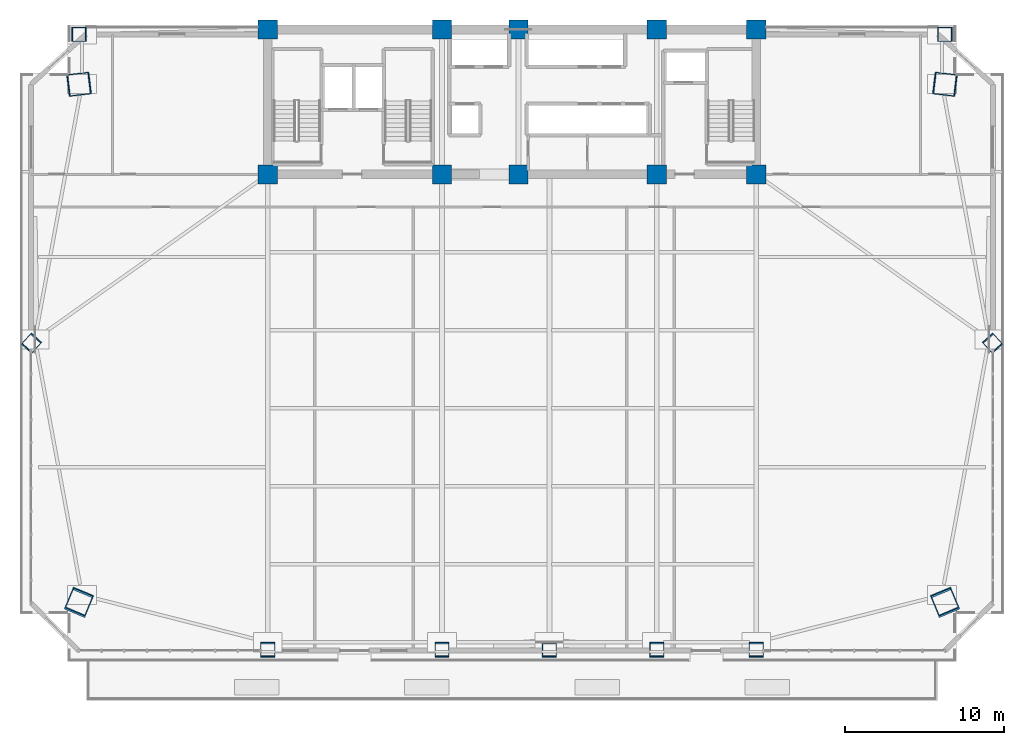
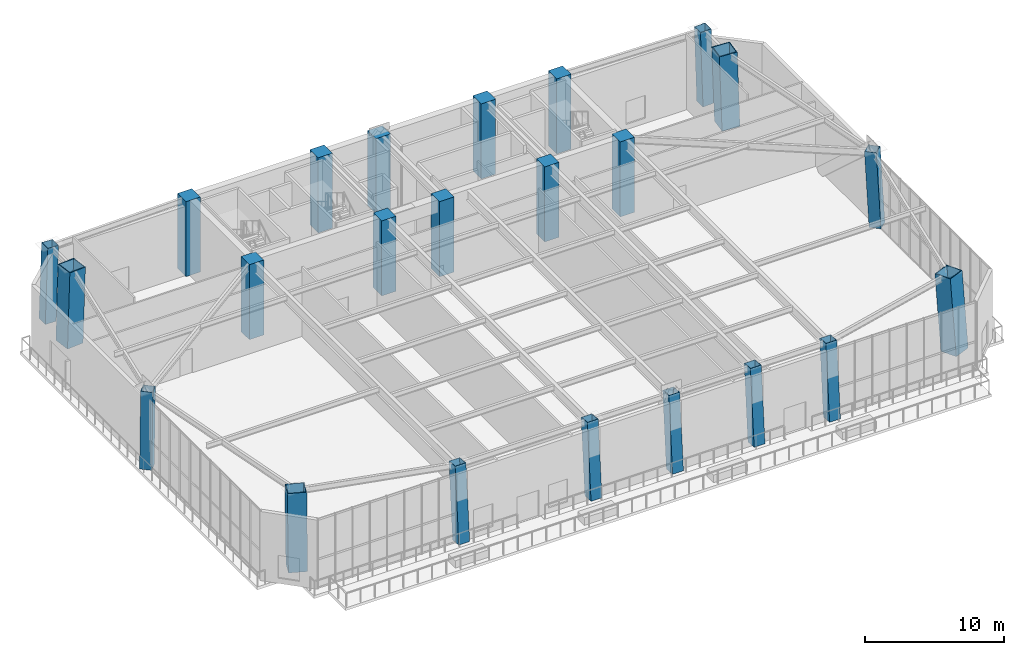
# One storey, part 1 of 22: 23 columns.
"""IFC4 building model written with IfcOpenShell, lengths in metres."""

from ifc_helpers import new_model, si_unit, direction, frame, origin, origin_2d, place, context, subcontext, project, spatial, rectangle, hollow_rectangle, extrude, source, transform, mapped, material, material_profile, profile_set, type_object, element, save


model = new_model("IFC4")

# Units and contexts
model_context = context("Model", 3, precision=1e-05, world=origin(), true_north=direction((0.0, 1.0)))
body_context = subcontext(model_context, "Body", "Model", "MODEL_VIEW")
ifc_project = project(units=[si_unit("LENGTHUNIT", "METRE"), si_unit("AREAUNIT", "SQUARE_METRE"), si_unit("VOLUMEUNIT", "CUBIC_METRE"), si_unit("PLANEANGLEUNIT", "RADIAN"), si_unit("MASSUNIT", "GRAM", prefix="KILO")], contexts=[model_context])

# Site, building, storey
site_placement = place(None, origin())
site = spatial("IfcSite", under=ifc_project, at=site_placement, CompositionType="ELEMENT")
building_placement = place(site_placement, origin())
building = spatial("IfcBuilding", under=site, at=building_placement, Name="Giltprow Tower", CompositionType="ELEMENT")
storey_placement = place(building_placement, frame((0.0, 0.0, 130.89990234375)))
storey = spatial("IfcBuildingStorey", under=building, at=storey_placement, Name="L32", CompositionType="ELEMENT", Elevation=130.89990234375)

# Columns
ifc_material_1 = material(Name="Concrete C60", Category="concrete")
ifc_material_profile_1 = material_profile(ifc_material_1, rectangle(XDim=1.199951171875, YDim=1.199951171875, at=origin_2d()), Name="RC 1200x1200")
ifc_profile_set_1 = profile_set([ifc_material_profile_1], Name="Concrete C60")
column_type_1 = type_object("IfcColumnType", Name="PIL-RC-1200-C60", PredefinedType="PILASTER", material=ifc_profile_set_1)
shared_shape_1 = source(origin(), body_context, "Body", "SweptSolid", [
    extrude(rectangle(XDim=1.199951171875, YDim=1.199951171875, at=origin_2d()), origin(), (0.0, 0.0, 1.0), 6.570068359375),
])
for number, where, z_axis, x_axis, name in (
    (1, (19.85009765625, 37.449951171875, 0.0), (0.0, 0.0, 1.0), (1.0, 0.0, 0.0), "L32 Core Boundary Pilaster 1-1"),
    (2, (19.85009765625, 46.550048828125, 0.0), (0.0, 0.0, 1.0), (1.0, 0.0, 0.0), "L32 Core Boundary Pilaster 1-2"),
    (3, (30.800048828125, 37.449951171875, 0.0), (0.0, 0.0, 1.0), (1.0, 0.0, 0.0), "L32 Core Boundary Pilaster 2-1"),
    (4, (30.800048828125, 46.550048828125, 0.0), (0.0, 0.0, 1.0), (1.0, 0.0, 0.0), "L32 Core Boundary Pilaster 2-2"),
    (5, (35.60009765625, 37.449951171875, 0.0), (0.0, 0.0, 1.0), (1.0, 0.0, 0.0), "L32 Core Boundary Pilaster 3-1"),
    (6, (35.60009765625, 46.550048828125, 0.0), (0.0, 0.0, 1.0), (1.0, 0.0, 0.0), "L32 Core Boundary Pilaster 3-2"),
    (7, (44.300048828125, 37.449951171875, 0.0), (0.0, 0.0, 1.0), (1.0, 0.0, 0.0), "L32 Core Boundary Pilaster 4-1"),
    (8, (44.300048828125, 46.550048828125, 0.0), (0.0, 0.0, 1.0), (1.0, 0.0, 0.0), "L32 Core Boundary Pilaster 4-2"),
    (9, (50.550048828125, 37.449951171875, 0.0), (0.0, 0.0, 1.0), (1.0, 0.0, 0.0), "L32 Core Boundary Pilaster 5-1"),
    (10, (50.550048828125, 46.550048828125, 0.0), (0.0, 0.0, 1.0), (1.0, 0.0, 0.0), "L32 Core Boundary Pilaster 5-2"),
):
    element("IfcColumn", number, at=place(storey_placement, frame(where, z_axis=z_axis, x_axis=x_axis)), inside=storey, type_object=column_type_1, Name=name, PredefinedType="PILASTER", context=body_context, shape_type="MappedRepresentation", body=[
        mapped(shared_shape_1, transform((0.0, 0.0, 0.0), x_axis=(1.0, 0.0, 0.0), y_axis=(0.0, 1.0, 0.0), z_axis=(0.0, 0.0, 1.0), scale=1.0)),
    ])
ifc_material_2 = material(Name="Structural steel Q420GJC", Category="steel")
ifc_material_profile_2 = material_profile(ifc_material_2, hollow_rectangle(XDim=1.39990234375, YDim=1.39990234375, WallThickness=0.06494140625, at=origin_2d()), Name="BOX 1400x1400x65")
ifc_profile_set_2 = profile_set([ifc_material_profile_2], Name="Structural steel Q420GJC")
column_type_2 = type_object("IfcColumnType", Name="COL-BOX-1400x1400x65", PredefinedType="COLUMN", material=ifc_profile_set_2)
shared_shape_2 = source(origin(), body_context, "Body", "SweptSolid", [
    extrude(hollow_rectangle(XDim=1.39990234375, YDim=1.39990234375, WallThickness=0.06494140625, at=origin_2d()), origin(), (0.0, 0.0, 1.0), 6.592529296875),
])
for number, where, z_axis, x_axis, name in (
    (11, (7.969970703125, 10.509033203125, 0.0), (0.031700543352, 0.075992424016, 0.996604348296), (-0.922917163749, 0.384998582929, 0.0), "L32 Mega-Column MC_SW"),
    (12, (62.429931640625, 10.509033203125, 0.0), (-0.031700543352, 0.075992424016, 0.996604348296), (-0.922917163749, -0.384998582929, 0.0), "L32 Mega-Column MC_SE"),
):
    element("IfcColumn", number, at=place(storey_placement, frame(where, z_axis=z_axis, x_axis=x_axis)), inside=storey, type_object=column_type_2, Name=name, PredefinedType="COLUMN", context=body_context, shape_type="MappedRepresentation", body=[
        mapped(shared_shape_2, transform((0.0, 0.0, 0.0), x_axis=(1.0, 0.0, 0.0), y_axis=(0.0, 1.0, 0.0), z_axis=(0.0, 0.0, 1.0), scale=1.0)),
    ])
shared_shape_3 = source(origin(), body_context, "Body", "SweptSolid", [
    extrude(hollow_rectangle(XDim=1.39990234375, YDim=1.39990234375, WallThickness=0.06494140625, at=origin_2d()), origin(), (0.0, 0.0, 1.0), 6.573486328125),
])
for number, where, z_axis, x_axis, name in (
    (13, (7.969970703125, 43.10888671875, 0.0), (0.031792241999, 0.003825468371, 0.999487178077), (-0.119465364478, 0.992838368865, 0.0), "L32 Mega-Column MC_NW"),
    (14, (62.429931640625, 43.10888671875, 0.0), (-0.031792241999, 0.003825468371, 0.999487178077), (-0.119465364478, -0.992838368865, 0.0), "L32 Mega-Column MC_NE"),
):
    element("IfcColumn", number, at=place(storey_placement, frame(where, z_axis=z_axis, x_axis=x_axis)), inside=storey, type_object=column_type_2, Name=name, PredefinedType="COLUMN", context=body_context, shape_type="MappedRepresentation", body=[
        mapped(shared_shape_3, transform((0.0, 0.0, 0.0), x_axis=(1.0, 0.0, 0.0), y_axis=(0.0, 1.0, 0.0), z_axis=(0.0, 0.0, 1.0), scale=1.0)),
    ])
ifc_material_profile_3 = material_profile(ifc_material_2, hollow_rectangle(XDim=0.89990234375, YDim=0.89990234375, WallThickness=0.0400390625, at=origin_2d()), Name="BOX 900x900x40")
ifc_profile_set_3 = profile_set([ifc_material_profile_3], Name="Structural steel Q420GJC")
column_type_3 = type_object("IfcColumnType", Name="COL-BOX-900x900x40", PredefinedType="COLUMN", material=ifc_profile_set_3)
shared_shape_4 = source(origin(), body_context, "Body", "SweptSolid", [
    extrude(hollow_rectangle(XDim=0.89990234375, YDim=0.89990234375, WallThickness=0.0400390625, at=origin_2d()), origin(), (0.0, 0.0, 1.0), 6.591064453125),
])
for number, where, z_axis, x_axis, name in (
    (15, (19.85009765625, 7.51806640625, 0.0), (0.0, 0.079933662815, 0.996800185368), (-1.0, 0.0, 0.0), "L32 Perimeter Column S1"),
    (16, (30.800048828125, 7.51806640625, 0.0), (0.0, 0.079933662815, 0.996800185368), (-1.0, 0.0, 0.0), "L32 Perimeter Column S2"),
    (17, (37.550048828125, 7.51806640625, 0.0), (0.0, 0.079933662815, 0.996800185368), (-1.0, 0.0, 0.0), "L32 Perimeter Column S_MID"),
    (18, (44.300048828125, 7.51806640625, 0.0), (0.0, 0.079933662815, 0.996800185368), (-1.0, 0.0, 0.0), "L32 Perimeter Column S3"),
    (19, (50.550048828125, 7.51806640625, 0.0), (0.0, 0.079933662815, 0.996800185368), (-1.0, 0.0, 0.0), "L32 Perimeter Column S4"),
):
    element("IfcColumn", number, at=place(storey_placement, frame(where, z_axis=z_axis, x_axis=x_axis)), inside=storey, type_object=column_type_3, Name=name, PredefinedType="COLUMN", context=body_context, shape_type="MappedRepresentation", body=[
        mapped(shared_shape_4, transform((0.0, 0.0, 0.0), x_axis=(1.0, 0.0, 0.0), y_axis=(0.0, 1.0, 0.0), z_axis=(0.0, 0.0, 1.0), scale=1.0)),
    ])
shared_shape_5 = source(origin(), body_context, "Body", "SweptSolid", [
    extrude(hollow_rectangle(XDim=0.89990234375, YDim=0.89990234375, WallThickness=0.0400390625, at=origin_2d()), origin(), (0.0, 0.0, 1.0), 6.57958984375),
])
for number, where, z_axis, x_axis, name in (
    (20, (4.97900390625, 26.80908203125, 0.0), (0.035733165296, 0.03996325963, 0.998562005475), (-0.745458506367, 0.666552034941, 0.0), "L32 Perimeter Column W_MID"),
    (21, (65.4208984375, 26.80908203125, 0.0), (-0.035696106511, 0.03996331259, 0.998563328801), (-0.745802491979, -0.666167128398, 0.0), "L32 Perimeter Column E_MID"),
):
    element("IfcColumn", number, at=place(storey_placement, frame(where, z_axis=z_axis, x_axis=x_axis)), inside=storey, type_object=column_type_3, Name=name, PredefinedType="COLUMN", context=body_context, shape_type="MappedRepresentation", body=[
        mapped(shared_shape_5, transform((0.0, 0.0, 0.0), x_axis=(1.0, 0.0, 0.0), y_axis=(0.0, 1.0, 0.0), z_axis=(0.0, 0.0, 1.0), scale=1.0)),
    ])
shared_shape_6 = source(origin(), body_context, "Body", "SweptSolid", [
    extrude(hollow_rectangle(XDim=0.89990234375, YDim=0.89990234375, WallThickness=0.0400390625, at=origin_2d()), origin(), (0.0, 0.0, 1.0), 6.573486328125),
])
for number, where, z_axis, x_axis, name in (
    (22, (7.969970703125, 46.25, 0.0), (0.031792474629, 0.0, 0.999494491509), (0.0, 1.0, 0.0), "L32 Perimeter Column N_W"),
    (23, (62.429931640625, 46.25, 0.0), (-0.031792474629, 0.0, 0.999494491509), (0.0, -1.0, 0.0), "L32 Perimeter Column N_E"),
):
    element("IfcColumn", number, at=place(storey_placement, frame(where, z_axis=z_axis, x_axis=x_axis)), inside=storey, type_object=column_type_3, Name=name, PredefinedType="COLUMN", context=body_context, shape_type="MappedRepresentation", body=[
        mapped(shared_shape_6, transform((0.0, 0.0, 0.0), x_axis=(1.0, 0.0, 0.0), y_axis=(0.0, 1.0, 0.0), z_axis=(0.0, 0.0, 1.0), scale=1.0)),
    ])

save(model, "model.ifc")
